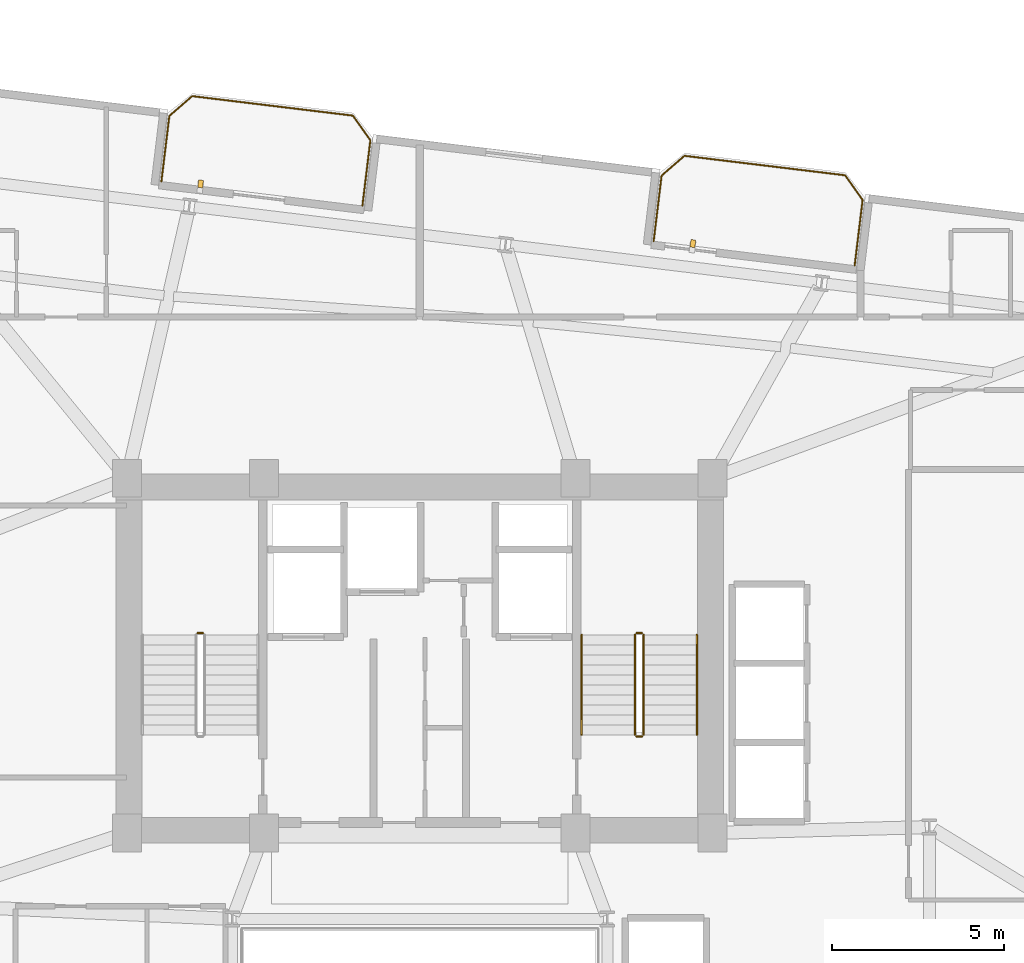
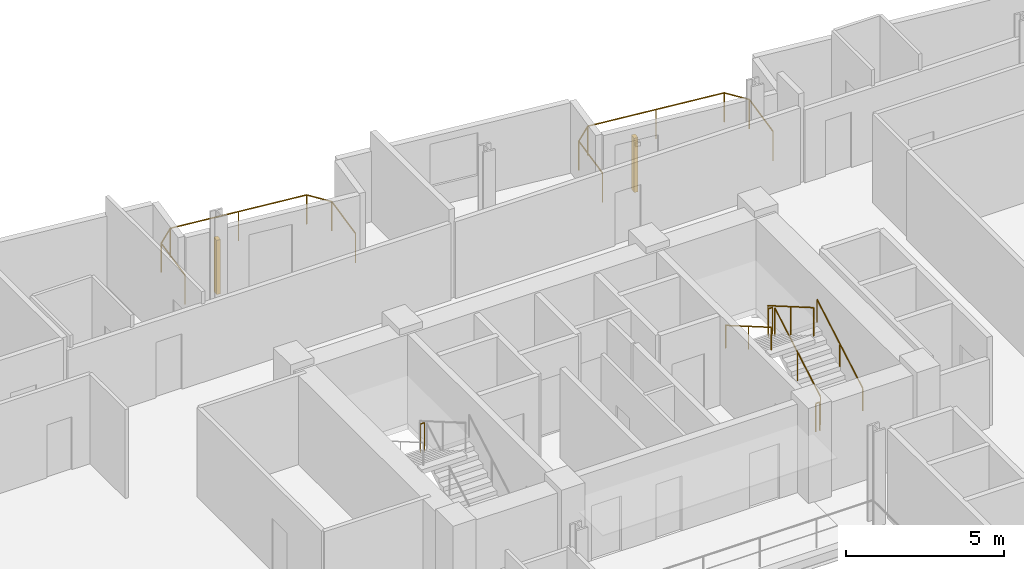
# One storey, part 26 of 26: 9 railings, 2 shading devices.
"""IFC4 building model written with IfcOpenShell, lengths in metres."""

from ifc_helpers import new_model, si_unit, direction, frame, origin, origin_2d, place, context, subcontext, project, spatial, rectangle, circle, extrude, source, transform, mapped, material, type_object, element, save


model = new_model("IFC4")

# Units and contexts
model_context = context("Model", 3, precision=1e-05, world=origin(), true_north=direction((0.0, 1.0)))
body_context = subcontext(model_context, "Body", "Model", "MODEL_VIEW")
ifc_project = project(units=[si_unit("LENGTHUNIT", "METRE"), si_unit("AREAUNIT", "SQUARE_METRE"), si_unit("VOLUMEUNIT", "CUBIC_METRE"), si_unit("PLANEANGLEUNIT", "RADIAN"), si_unit("MASSUNIT", "GRAM", prefix="KILO")], contexts=[model_context])

# Site, building, storey
site_placement = place(None, origin())
site = spatial("IfcSite", under=ifc_project, at=site_placement, CompositionType="ELEMENT")
building_placement = place(site_placement, origin())
building = spatial("IfcBuilding", under=site, at=building_placement, Name="Varnelok Gate Tower", CompositionType="ELEMENT")
storey_placement = place(building_placement, frame((0.0, 0.0, 147.60009765625)))
storey = spatial("IfcBuildingStorey", under=building, at=storey_placement, Name="L37", CompositionType="ELEMENT", Elevation=147.60009765625)

# Railings
ifc_material_1 = material(Name="Low-E Laminated Double Glazing IGU", Category="glass")
railing_type_1 = type_object("IfcRailingType", Name="RL-BALC-1150", PredefinedType="BALUSTRADE", material=ifc_material_1)
railing_1_placement = place(storey_placement, frame((31.697021484375, 47.66552734375, 0.0)))
element("IfcRailing", 1, at=railing_1_placement, inside=storey, type_object=railing_type_1, Name="L37 North Terrace Balustrade 3", PredefinedType="BALUSTRADE", context=body_context, shape_type="SweptSolid", body=[
    extrude(circle(Radius=0.02392578125, at=origin_2d()), frame((0.0, 0.0, 1.1259765625), z_axis=(0.120293392036, 0.992738384386, 0.0), x_axis=(-0.992738384386, 0.120293392036, 0.0)), (0.0, 0.0, 1.0), 1.919921875),
    extrude(circle(Radius=0.02392578125, at=origin_2d()), frame((0.23095703125, 1.906005859375, 1.1259765625), z_axis=(0.756422670136, 0.654083132411, 0.0), x_axis=(-0.654083132411, 0.756422670136, 0.0)), (0.0, 0.0, 1.0), 0.8779296875),
    extrude(circle(Radius=0.02392578125, at=origin_2d()), frame((0.89501953125, 2.480224609375, 1.1259765625), z_axis=(0.992730585037, -0.120357739811, 0.0), x_axis=(0.120357739811, 0.992730585037, 0.0)), (0.0, 0.0, 1.0), 4.699951171875),
    extrude(circle(Radius=0.02392578125, at=origin_2d()), frame((5.560791015625, 1.91455078125, 1.1259765625), z_axis=(0.578287426437, -0.81583310329, 0.0), x_axis=(0.81583310329, 0.578287426437, 0.0)), (0.0, 0.0, 1.0), 0.877685546875),
    extrude(circle(Radius=0.02392578125, at=origin_2d()), frame((6.068359375, 1.198486328125, 1.1259765625), z_axis=(-0.120418709125, -0.992723191274, 0.0), x_axis=(0.992723191274, -0.120418709125, 0.0)), (0.0, 0.0, 1.0), 1.919921875),
    extrude(circle(Radius=0.02099609375, at=origin_2d()), origin(), (0.0, 0.0, 1.0), 1.101806640625),
    extrude(circle(Radius=0.02099609375, at=origin_2d()), frame((0.23095703125, 1.906005859375, 0.0)), (0.0, 0.0, 1.0), 1.101806640625),
    extrude(circle(Radius=0.02099609375, at=origin_2d()), frame((0.89501953125, 2.480224609375, 0.0)), (0.0, 0.0, 1.0), 1.101806640625),
    extrude(circle(Radius=0.02099609375, at=origin_2d()), frame((3.22802734375, 2.197265625, 0.0)), (0.0, 0.0, 1.0), 1.101806640625),
    extrude(circle(Radius=0.02099609375, at=origin_2d()), frame((5.560791015625, 1.91455078125, 0.0)), (0.0, 0.0, 1.0), 1.101806640625),
    extrude(circle(Radius=0.02099609375, at=origin_2d()), frame((6.068359375, 1.198486328125, 0.0)), (0.0, 0.0, 1.0), 1.101806640625),
    extrude(circle(Radius=0.02099609375, at=origin_2d()), frame((5.837158203125, -0.70751953125, 0.0)), (0.0, 0.0, 1.0), 1.101806640625),
])
railing_2_placement = place(storey_placement, frame((45.992431640625, 45.9326171875, 0.0)))
element("IfcRailing", 2, at=railing_2_placement, inside=storey, type_object=railing_type_1, Name="L37 North Terrace Balustrade 4", PredefinedType="BALUSTRADE", context=body_context, shape_type="SweptSolid", body=[
    extrude(circle(Radius=0.02392578125, at=origin_2d()), frame((0.0, 0.0, 1.1259765625), z_axis=(0.120293392036, 0.992738384386, 0.0), x_axis=(-0.992738384386, 0.120293392036, 0.0)), (0.0, 0.0, 1.0), 1.919921875),
    extrude(circle(Radius=0.02392578125, at=origin_2d()), frame((0.23095703125, 1.906005859375, 1.1259765625), z_axis=(0.756422670136, 0.654083132411, 0.0), x_axis=(-0.654083132411, 0.756422670136, 0.0)), (0.0, 0.0, 1.0), 0.8779296875),
    extrude(circle(Radius=0.02392578125, at=origin_2d()), frame((0.89501953125, 2.480224609375, 1.1259765625), z_axis=(0.992730585037, -0.120357739811, 0.0), x_axis=(0.120357739811, 0.992730585037, 0.0)), (0.0, 0.0, 1.0), 4.699951171875),
    extrude(circle(Radius=0.02392578125, at=origin_2d()), frame((5.560791015625, 1.91455078125, 1.1259765625), z_axis=(0.57815621837, -0.815926091726, 0.0), x_axis=(0.815926091726, 0.57815621837, 0.0)), (0.0, 0.0, 1.0), 0.8779296875),
    extrude(circle(Radius=0.02392578125, at=origin_2d()), frame((6.068359375, 1.1982421875, 1.1259765625), z_axis=(-0.120418709125, -0.992723191274, 0.0), x_axis=(0.992723191274, -0.120418709125, 0.0)), (0.0, 0.0, 1.0), 1.919921875),
    extrude(circle(Radius=0.02099609375, at=origin_2d()), origin(), (0.0, 0.0, 1.0), 1.101806640625),
    extrude(circle(Radius=0.02099609375, at=origin_2d()), frame((0.23095703125, 1.906005859375, 0.0)), (0.0, 0.0, 1.0), 1.101806640625),
    extrude(circle(Radius=0.02099609375, at=origin_2d()), frame((0.89501953125, 2.480224609375, 0.0)), (0.0, 0.0, 1.0), 1.101806640625),
    extrude(circle(Radius=0.02099609375, at=origin_2d()), frame((3.22802734375, 2.197265625, 0.0)), (0.0, 0.0, 1.0), 1.101806640625),
    extrude(circle(Radius=0.02099609375, at=origin_2d()), frame((5.560791015625, 1.91455078125, 0.0)), (0.0, 0.0, 1.0), 1.101806640625),
    extrude(circle(Radius=0.02099609375, at=origin_2d()), frame((6.068359375, 1.1982421875, 0.0)), (0.0, 0.0, 1.0), 1.101806640625),
    extrude(circle(Radius=0.02099609375, at=origin_2d()), frame((5.837158203125, -0.707763671875, 0.0)), (0.0, 0.0, 1.0), 1.101806640625),
])
ifc_material_2 = material(Name="Brushed Stainless Steel AISI 316", Category="steel")
railing_type_2 = type_object("IfcRailingType", Name="RL-HANDRAIL-900", PredefinedType="HANDRAIL", material=ifc_material_2)
railing_3_placement = place(storey_placement, frame((47.25, 31.60009765625, 0.16796875)))
element("IfcRailing", 3, at=railing_3_placement, inside=storey, type_object=railing_type_2, Name="L37 ST-2 stair handrail 1", PredefinedType="HANDRAIL", context=body_context, shape_type="SweptSolid", body=[
    extrude(circle(Radius=0.02392578125, at=origin_2d()), frame((0.0, 0.0, 0.8759765625), z_axis=(0.0, 0.865038774852, 0.501705010941), x_axis=(-1.0, 0.0, 0.0)), (0.0, 0.0, 1.0), 3.352294921875),
    extrude(circle(Radius=0.02099609375, at=origin_2d()), origin(), (0.0, 0.0, 1.0), 0.851806640625),
    extrude(circle(Radius=0.02099609375, at=origin_2d()), frame((0.0, 1.449951171875, 0.8408203125)), (0.0, 0.0, 1.0), 0.851806640625),
    extrude(circle(Radius=0.02099609375, at=origin_2d()), frame((0.0, 2.89990234375, 1.681884765625)), (0.0, 0.0, 1.0), 0.851806640625),
])
railing_4_placement = place(storey_placement, frame((43.89990234375, 34.5, 2.01806640625)))
element("IfcRailing", 4, at=railing_4_placement, inside=storey, type_object=railing_type_2, Name="L37 ST-2 stair handrail 2", PredefinedType="HANDRAIL", context=body_context, shape_type="SweptSolid", body=[
    extrude(circle(Radius=0.02392578125, at=origin_2d()), frame((0.0, 0.0, 0.8759765625), z_axis=(0.0, -0.865038774852, 0.501705010941), x_axis=(1.0, 0.0, 0.0)), (0.0, 0.0, 1.0), 3.352294921875),
    extrude(circle(Radius=0.02099609375, at=origin_2d()), origin(), (0.0, 0.0, 1.0), 0.851806640625),
    extrude(circle(Radius=0.02099609375, at=origin_2d()), frame((0.0, -1.449951171875, 0.8408203125)), (0.0, 0.0, 1.0), 0.851806640625),
    extrude(circle(Radius=0.02099609375, at=origin_2d()), frame((0.0, -2.89990234375, 1.681884765625)), (0.0, 0.0, 1.0), 0.851806640625),
])
ifc_material_3 = material(Name="Galvanized Steel Grade S350GD", Category="steel")
railing_type_3 = type_object("IfcRailingType", Name="RL-STAIR-GUARD1120", PredefinedType="GUARDRAIL", material=ifc_material_3)
railing_5_placement = place(storey_placement, frame((32.89990234375, 34.550048828125, 1.849853515625)))
element("IfcRailing", 5, at=railing_5_placement, inside=storey, type_object=railing_type_3, Name="L37 ST-1 stair guard 2", PredefinedType="GUARDRAIL", context=body_context, shape_type="SweptSolid", body=[
    extrude(circle(Radius=0.02392578125, at=origin_2d()), frame((0.0, 0.0, 1.09619140625), z_axis=(-1.0, 0.0, 0.0), x_axis=(0.0, -1.0, 0.0)), (0.0, 0.0, 1.0), 0.14990234375),
    extrude(circle(Radius=0.02099609375, at=origin_2d()), origin(), (0.0, 0.0, 1.0), 1.072021484375),
    extrude(circle(Radius=0.02099609375, at=origin_2d()), frame((-0.14990234375, 0.0, 0.0)), (0.0, 0.0, 1.0), 1.072021484375),
])
railing_6_placement = place(storey_placement, frame((45.699951171875, 31.60009765625, 0.16796875)))
element("IfcRailing", 6, at=railing_6_placement, inside=storey, type_object=railing_type_3, Name="L37 ST-2 stair guard 1", PredefinedType="GUARDRAIL", context=body_context, shape_type="SweptSolid", body=[
    extrude(circle(Radius=0.02392578125, at=origin_2d()), frame((0.0, 0.0, 1.09619140625), z_axis=(0.0, 0.865038774852, 0.501705010941), x_axis=(-1.0, 0.0, 0.0)), (0.0, 0.0, 1.0), 3.352294921875),
    extrude(circle(Radius=0.02099609375, at=origin_2d()), origin(), (0.0, 0.0, 1.0), 1.072021484375),
    extrude(circle(Radius=0.02099609375, at=origin_2d()), frame((0.0, 1.449951171875, 0.8408203125)), (0.0, 0.0, 1.0), 1.072021484375),
    extrude(circle(Radius=0.02099609375, at=origin_2d()), frame((0.0, 2.89990234375, 1.681884765625)), (0.0, 0.0, 1.0), 1.072021484375),
])
railing_7_placement = place(storey_placement, frame((45.64990234375, 34.550048828125, 1.849853515625)))
element("IfcRailing", 7, at=railing_7_placement, inside=storey, type_object=railing_type_3, Name="L37 ST-2 stair guard 2", PredefinedType="GUARDRAIL", context=body_context, shape_type="SweptSolid", body=[
    extrude(circle(Radius=0.02392578125, at=origin_2d()), frame((0.0, 0.0, 1.09619140625), z_axis=(-1.0, 0.0, 0.0), x_axis=(0.0, -1.0, 0.0)), (0.0, 0.0, 1.0), 0.14990234375),
    extrude(circle(Radius=0.02099609375, at=origin_2d()), origin(), (0.0, 0.0, 1.0), 1.072021484375),
    extrude(circle(Radius=0.02099609375, at=origin_2d()), frame((-0.14990234375, 0.0, 0.0)), (0.0, 0.0, 1.0), 1.072021484375),
])
railing_8_placement = place(storey_placement, frame((45.449951171875, 34.5, 2.01806640625)))
element("IfcRailing", 8, at=railing_8_placement, inside=storey, type_object=railing_type_3, Name="L37 ST-2 stair guard 3", PredefinedType="GUARDRAIL", context=body_context, shape_type="SweptSolid", body=[
    extrude(circle(Radius=0.02392578125, at=origin_2d()), frame((0.0, 0.0, 1.09619140625), z_axis=(0.0, -0.865038774852, 0.501705010941), x_axis=(1.0, 0.0, 0.0)), (0.0, 0.0, 1.0), 3.352294921875),
    extrude(circle(Radius=0.02099609375, at=origin_2d()), origin(), (0.0, 0.0, 1.0), 1.072021484375),
    extrude(circle(Radius=0.02099609375, at=origin_2d()), frame((0.0, -1.449951171875, 0.8408203125)), (0.0, 0.0, 1.0), 1.072021484375),
    extrude(circle(Radius=0.02099609375, at=origin_2d()), frame((0.0, -2.89990234375, 1.681884765625)), (0.0, 0.0, 1.0), 1.072021484375),
])
railing_9_placement = place(storey_placement, frame((45.64990234375, 31.550048828125, 0.0)))
element("IfcRailing", 9, at=railing_9_placement, inside=storey, type_object=railing_type_3, Name="L37 ST-2 stair guard 4", PredefinedType="GUARDRAIL", context=body_context, shape_type="SweptSolid", body=[
    extrude(circle(Radius=0.02392578125, at=origin_2d()), frame((0.0, 0.0, 1.09619140625), z_axis=(-1.0, 0.0, 0.0), x_axis=(0.0, -1.0, 0.0)), (0.0, 0.0, 1.0), 0.14990234375),
    extrude(circle(Radius=0.02099609375, at=origin_2d()), origin(), (0.0, 0.0, 1.0), 1.072021484375),
    extrude(circle(Radius=0.02099609375, at=origin_2d()), frame((-0.14990234375, 0.0, 0.0)), (0.0, 0.0, 1.0), 1.072021484375),
])

# Shading devices
ifc_material_4 = material(Name="Glazed Architectural Terracotta Ceramic", Category="masonry")
shading_device_type = type_object("IfcShadingDeviceType", Name="SHD-TERRA-FIN", PredefinedType="USERDEFINED", material=ifc_material_4)
shared_shape = source(origin(), body_context, "Body", "SweptSolid", [
    extrude(rectangle(XDim=0.139892578125, YDim=0.219970703125, at=origin_2d()), origin(), (0.0, 0.0, 1.0), 2.10009765625),
])
for number, where, z_axis, x_axis, name in (
    (10, (32.837158203125, 47.597900390625, 0.099853515625), (0.0, 0.0, 1.0), (0.992732158755, -0.12034475881, 0.0), "L37 Terracotta Ceramic Baguette Sunscreen 3.1"),
    (11, (47.132568359375, 45.86474609375, 0.099853515625), (0.0, 0.0, 1.0), (0.992732158755, -0.12034475881, 0.0), "L37 Terracotta Ceramic Baguette Sunscreen 4.1"),
):
    element("IfcShadingDevice", number, at=place(storey_placement, frame(where, z_axis=z_axis, x_axis=x_axis)), inside=storey, type_object=shading_device_type, Name=name, ObjectType="BAGUETTE", PredefinedType="USERDEFINED", context=body_context, shape_type="MappedRepresentation", body=[
        mapped(shared_shape, transform((0.0, 0.0, 0.0), scale=1.0)),
    ])

save(model, "model.ifc")
